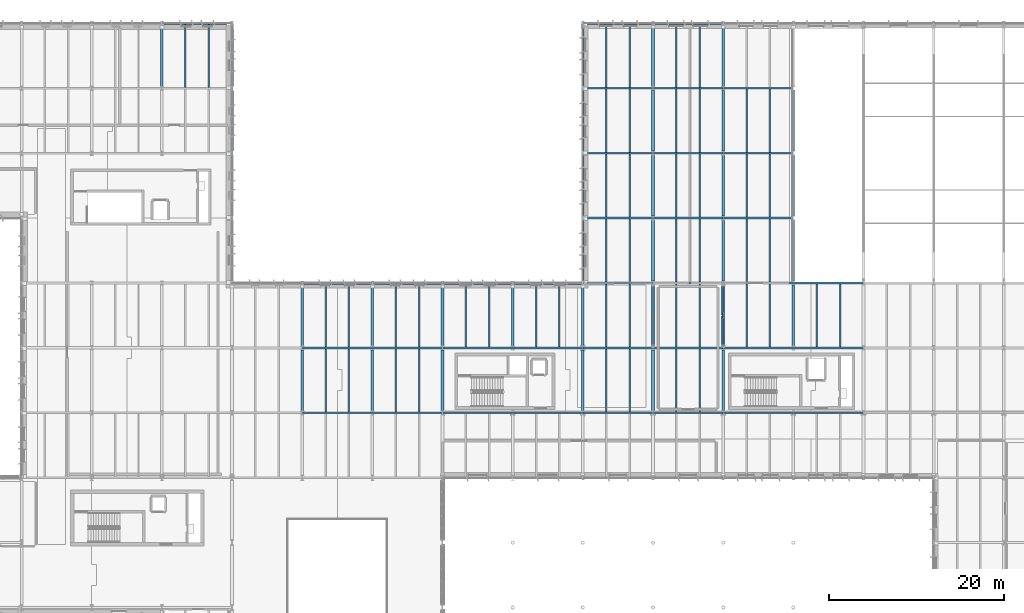
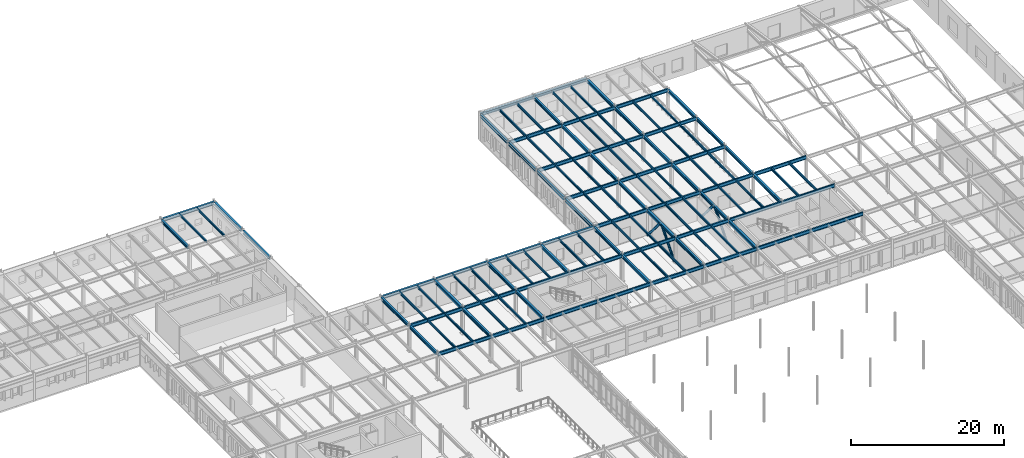
# One storey, part 25 of 75: 116 beams, 4 members.
"""IFC4 building model written with IfcOpenShell, lengths in metres."""

from ifc_helpers import new_model, si_unit, direction, frame, origin, origin_2d, place, context, subcontext, project, spatial, hollow_circle, i_section, extrude, material, material_profile, profile_set, type_object, element, save


model = new_model("IFC4")

# Units and contexts
model_context = context("Model", 3, precision=1e-05, world=origin(), true_north=direction((0.0, 1.0)))
body_context = subcontext(model_context, "Body", "Model", "MODEL_VIEW")
ifc_project = project(units=[si_unit("LENGTHUNIT", "METRE"), si_unit("AREAUNIT", "SQUARE_METRE"), si_unit("VOLUMEUNIT", "CUBIC_METRE"), si_unit("PLANEANGLEUNIT", "RADIAN"), si_unit("MASSUNIT", "GRAM", prefix="KILO")], contexts=[model_context])

# Site, building, storey
site_placement = place(None, origin())
site = spatial("IfcSite", under=ifc_project, at=site_placement, CompositionType="ELEMENT")
building_placement = place(site_placement, origin())
building = spatial("IfcBuilding", under=site, at=building_placement, Name="Valkorina Park Police Headquarters", CompositionType="ELEMENT")
storey_placement = place(building_placement, frame((0.0, 0.0, 5.39990234375)))
storey = spatial("IfcBuildingStorey", under=building, at=storey_placement, Name="L02", CompositionType="ELEMENT", Elevation=5.39990234375)

# Beams
ifc_material = material(Name="Steel S355", Category="steel")
ifc_material_profile_1 = material_profile(ifc_material, i_section(OverallWidth=0.300048828125, OverallDepth=0.489990234375, WebThickness=0.011962890625, FlangeThickness=0.02294921875, FilletRadius=0.027099609375, at=origin_2d()), Name="HEA 500")
ifc_profile_set_1 = profile_set([ifc_material_profile_1], Name="Steel S355")
beam_type_1 = type_object("IfcBeamType", Name="BM-S355-HEA500-BM", PredefinedType="BEAM", material=ifc_profile_set_1)
for number, where, z_axis, x_axis, name in (
    (1, (48.800048828125, 103.824951171875, 3.97509765625), (0.0, 1.0, 0.0), (-1.0, 0.0, 0.0), "L02 Framing Beam 1586"),
    (2, (64.800048828125, 66.824951171875, 3.9951171875), (0.0, 1.0, 0.0), (-1.0, 0.0, 0.0), "L02 Framing Beam 1620"),
    (3, (64.800048828125, 74.22509765625, 3.9951171875), (0.0, 1.0, 0.0), (-1.0, 0.0, 0.0), "L02 Framing Beam 1623"),
    (4, (72.800048828125, 66.824951171875, 3.9951171875), (0.0, 1.0, 0.0), (-1.0, 0.0, 0.0), "L02 Framing Beam 1635"),
    (5, (72.800048828125, 74.22509765625, 3.9951171875), (0.0, 1.0, 0.0), (-1.0, 0.0, 0.0), "L02 Framing Beam 1638"),
    (6, (80.800048828125, 66.824951171875, 3.9951171875), (0.0, 1.0, 0.0), (-1.0, 0.0, 0.0), "L02 Framing Beam 1649"),
    (7, (80.800048828125, 74.22509765625, 3.9951171875), (0.0, 1.0, 0.0), (-1.0, 0.0, 0.0), "L02 Framing Beam 1650"),
    (8, (88.800048828125, 74.22509765625, 3.9951171875), (0.0, 1.0, 0.0), (-1.0, 0.0, 0.0), "L02 Framing Beam 1656"),
    (9, (96.800048828125, 66.824951171875, 3.9951171875), (0.0, 1.0, 0.0), (-1.0, 0.0, 0.0), "L02 Framing Beam 1662"),
    (10, (96.800048828125, 74.22509765625, 3.9951171875), (0.0, 1.0, 0.0), (-1.0, 0.0, 0.0), "L02 Framing Beam 1665"),
    (11, (104.800048828125, 66.824951171875, 3.9951171875), (0.0, 1.0, 0.0), (-1.0, 0.0, 0.0), "L02 Framing Beam 1683"),
    (12, (104.800048828125, 74.22509765625, 3.9951171875), (0.0, 1.0, 0.0), (-1.0, 0.0, 0.0), "L02 Framing Beam 1686"),
    (13, (104.800048828125, 81.625, 3.9951171875), (0.0, 1.0, 0.0), (-1.0, 0.0, 0.0), "L02 Framing Beam 1689"),
):
    element("IfcBeam", number, at=place(storey_placement, frame(where, z_axis=z_axis, x_axis=x_axis)), inside=storey, type_object=beam_type_1, Name=name, PredefinedType="BEAM", context=body_context, shape_type="SweptSolid", body=[
        extrude(i_section(OverallWidth=0.300048828125, OverallDepth=0.489990234375, WebThickness=0.011962890625, FlangeThickness=0.02294921875, FilletRadius=0.027099609375, at=origin_2d()), origin(), (0.0, 0.0, 1.0), 6.949951171875),
    ])
beam_1_placement = place(storey_placement, frame((104.800048828125, 89.02490234375, 3.9951171875), z_axis=(0.0, 1.0, 0.0), x_axis=(-1.0, 0.0, 0.0)))
element("IfcBeam", 14, at=beam_1_placement, inside=storey, type_object=beam_type_1, Name="L02 Framing Beam 1692", PredefinedType="BEAM", context=body_context, shape_type="SweptSolid", body=[
    extrude(i_section(OverallWidth=0.300048828125, OverallDepth=0.489990234375, WebThickness=0.011962890625, FlangeThickness=0.02294921875, FilletRadius=0.027099609375, at=origin_2d()), origin(), (0.0, 0.0, 1.0), 6.9501953125),
])
for number, where, z_axis, x_axis, name in (
    (15, (104.800048828125, 96.425048828125, 3.9951171875), (0.0, 1.0, 0.0), (-1.0, 0.0, 0.0), "L02 Framing Beam 1695"),
    (16, (104.800048828125, 103.824951171875, 3.9951171875), (0.0, 1.0, 0.0), (-1.0, 0.0, 0.0), "L02 Framing Beam 1698"),
    (17, (112.800048828125, 66.824951171875, 3.9951171875), (0.0, 1.0, 0.0), (-1.0, 0.0, 0.0), "L02 Framing Beam 1704"),
    (18, (112.800048828125, 74.22509765625, 3.9951171875), (0.0, 1.0, 0.0), (-1.0, 0.0, 0.0), "L02 Framing Beam 1705"),
    (19, (112.800048828125, 81.625, 3.9951171875), (0.0, 1.0, 0.0), (-1.0, 0.0, 0.0), "L02 Framing Beam 1708"),
):
    element("IfcBeam", number, at=place(storey_placement, frame(where, z_axis=z_axis, x_axis=x_axis)), inside=storey, type_object=beam_type_1, Name=name, PredefinedType="BEAM", context=body_context, shape_type="SweptSolid", body=[
        extrude(i_section(OverallWidth=0.300048828125, OverallDepth=0.489990234375, WebThickness=0.011962890625, FlangeThickness=0.02294921875, FilletRadius=0.027099609375, at=origin_2d()), origin(), (0.0, 0.0, 1.0), 6.949951171875),
    ])
beam_2_placement = place(storey_placement, frame((112.800048828125, 89.02490234375, 3.9951171875), z_axis=(0.0, 1.0, 0.0), x_axis=(-1.0, 0.0, 0.0)))
element("IfcBeam", 20, at=beam_2_placement, inside=storey, type_object=beam_type_1, Name="L02 Framing Beam 1711", PredefinedType="BEAM", context=body_context, shape_type="SweptSolid", body=[
    extrude(i_section(OverallWidth=0.300048828125, OverallDepth=0.489990234375, WebThickness=0.011962890625, FlangeThickness=0.02294921875, FilletRadius=0.027099609375, at=origin_2d()), origin(), (0.0, 0.0, 1.0), 6.9501953125),
])
for number, where, z_axis, x_axis, name in (
    (21, (112.800048828125, 96.425048828125, 3.9951171875), (0.0, 1.0, 0.0), (-1.0, 0.0, 0.0), "L02 Framing Beam 1714"),
    (22, (112.800048828125, 103.824951171875, 3.9951171875), (0.0, 1.0, 0.0), (-1.0, 0.0, 0.0), "L02 Framing Beam 1717"),
    (23, (120.800048828125, 74.22509765625, 3.9951171875), (0.0, 1.0, 0.0), (-1.0, 0.0, 0.0), "L02 Framing Beam 1723"),
    (24, (120.800048828125, 81.625, 3.9951171875), (0.0, 1.0, 0.0), (-1.0, 0.0, 0.0), "L02 Framing Beam 1726"),
):
    element("IfcBeam", number, at=place(storey_placement, frame(where, z_axis=z_axis, x_axis=x_axis)), inside=storey, type_object=beam_type_1, Name=name, PredefinedType="BEAM", context=body_context, shape_type="SweptSolid", body=[
        extrude(i_section(OverallWidth=0.300048828125, OverallDepth=0.489990234375, WebThickness=0.011962890625, FlangeThickness=0.02294921875, FilletRadius=0.027099609375, at=origin_2d()), origin(), (0.0, 0.0, 1.0), 6.949951171875),
    ])
beam_3_placement = place(storey_placement, frame((120.800048828125, 89.02490234375, 3.9951171875), z_axis=(0.0, 1.0, 0.0), x_axis=(-1.0, 0.0, 0.0)))
element("IfcBeam", 25, at=beam_3_placement, inside=storey, type_object=beam_type_1, Name="L02 Framing Beam 1727", PredefinedType="BEAM", context=body_context, shape_type="SweptSolid", body=[
    extrude(i_section(OverallWidth=0.300048828125, OverallDepth=0.489990234375, WebThickness=0.011962890625, FlangeThickness=0.02294921875, FilletRadius=0.027099609375, at=origin_2d()), origin(), (0.0, 0.0, 1.0), 6.9501953125),
])
beam_4_placement = place(storey_placement, frame((120.800048828125, 96.425048828125, 3.9951171875), z_axis=(0.0, 1.0, 0.0), x_axis=(-1.0, 0.0, 0.0)))
element("IfcBeam", 26, at=beam_4_placement, inside=storey, type_object=beam_type_1, Name="L02 Framing Beam 1728", PredefinedType="BEAM", context=body_context, shape_type="SweptSolid", body=[
    extrude(i_section(OverallWidth=0.300048828125, OverallDepth=0.489990234375, WebThickness=0.011962890625, FlangeThickness=0.02294921875, FilletRadius=0.027099609375, at=origin_2d()), origin(), (0.0, 0.0, 1.0), 6.949951171875),
])
ifc_material_profile_2 = material_profile(ifc_material, i_section(OverallWidth=0.300048828125, OverallDepth=0.489990234375, WebThickness=0.011962890625, FlangeThickness=0.02294921875, FilletRadius=0.027099609375, at=origin_2d()), Name="HEA 500")
ifc_profile_set_2 = profile_set([ifc_material_profile_2], Name="Steel S355")
beam_type_2 = type_object("IfcBeamType", Name="BM-S355-HEA500-SPN", PredefinedType="SPANDREL", material=ifc_profile_set_2)
for number, where, z_axis, x_axis, name in (
    (27, (64.806884765625, 81.39990234375, 3.9951171875), (1.0, 0.0, 0.0), (0.0, 1.0, 0.0), "L02 Framing Beam 1395"),
    (28, (72.806884765625, 81.39990234375, 3.9951171875), (1.0, 0.0, 0.0), (0.0, 1.0, 0.0), "L02 Framing Beam 1396"),
    (29, (80.806884765625, 81.39990234375, 3.9951171875), (1.0, 0.0, 0.0), (0.0, 1.0, 0.0), "L02 Framing Beam 1397"),
    (30, (88.806884765625, 81.39990234375, 3.9951171875), (1.0, 0.0, 0.0), (0.0, 1.0, 0.0), "L02 Framing Beam 1398"),
    (31, (48.806884765625, 111.0, 3.97509765625), (1.0, 0.0, 0.0), (0.0, 1.0, 0.0), "L02 Framing Beam 1440"),
    (32, (96.806884765625, 111.0, 3.9951171875), (1.0, 0.0, 0.0), (0.0, 1.0, 0.0), "L02 Framing Beam 1441"),
    (33, (104.806884765625, 111.0, 3.9951171875), (1.0, 0.0, 0.0), (0.0, 1.0, 0.0), "L02 Framing Beam 1442"),
):
    element("IfcBeam", number, at=place(storey_placement, frame(where, z_axis=z_axis, x_axis=x_axis)), inside=storey, type_object=beam_type_2, Name=name, PredefinedType="SPANDREL", context=body_context, shape_type="SweptSolid", body=[
        extrude(i_section(OverallWidth=0.300048828125, OverallDepth=0.489990234375, WebThickness=0.011962890625, FlangeThickness=0.02294921875, FilletRadius=0.027099609375, at=origin_2d()), origin(), (0.0, 0.0, 1.0), 7.986083984375),
    ])
for number, where, z_axis, x_axis, name in (
    (34, (56.800048828125, 96.425048828125, 3.97509765625), (0.0, 1.0, 0.0), (-1.0, 0.0, 0.0), "L02 Framing Beam 1609"),
    (35, (56.800048828125, 103.824951171875, 3.97509765625), (0.0, 1.0, 0.0), (-1.0, 0.0, 0.0), "L02 Framing Beam 1610"),
    (36, (96.800048828125, 81.625, 3.9951171875), (0.0, 1.0, 0.0), (-1.0, 0.0, 0.0), "L02 Framing Beam 1668"),
):
    element("IfcBeam", number, at=place(storey_placement, frame(where, z_axis=z_axis, x_axis=x_axis)), inside=storey, type_object=beam_type_2, Name=name, PredefinedType="SPANDREL", context=body_context, shape_type="SweptSolid", body=[
        extrude(i_section(OverallWidth=0.300048828125, OverallDepth=0.489990234375, WebThickness=0.011962890625, FlangeThickness=0.02294921875, FilletRadius=0.027099609375, at=origin_2d()), origin(), (0.0, 0.0, 1.0), 6.949951171875),
    ])
beam_5_placement = place(storey_placement, frame((96.800048828125, 89.02490234375, 3.9951171875), z_axis=(0.0, 1.0, 0.0), x_axis=(-1.0, 0.0, 0.0)))
element("IfcBeam", 37, at=beam_5_placement, inside=storey, type_object=beam_type_2, Name="L02 Framing Beam 1671", PredefinedType="SPANDREL", context=body_context, shape_type="SweptSolid", body=[
    extrude(i_section(OverallWidth=0.300048828125, OverallDepth=0.489990234375, WebThickness=0.011962890625, FlangeThickness=0.02294921875, FilletRadius=0.027099609375, at=origin_2d()), origin(), (0.0, 0.0, 1.0), 6.9501953125),
])
for number, where, z_axis, x_axis, name in (
    (38, (96.800048828125, 96.425048828125, 3.9951171875), (0.0, 1.0, 0.0), (-1.0, 0.0, 0.0), "L02 Framing Beam 1674"),
    (39, (96.800048828125, 103.824951171875, 3.9951171875), (0.0, 1.0, 0.0), (-1.0, 0.0, 0.0), "L02 Framing Beam 1677"),
):
    element("IfcBeam", number, at=place(storey_placement, frame(where, z_axis=z_axis, x_axis=x_axis)), inside=storey, type_object=beam_type_2, Name=name, PredefinedType="SPANDREL", context=body_context, shape_type="SweptSolid", body=[
        extrude(i_section(OverallWidth=0.300048828125, OverallDepth=0.489990234375, WebThickness=0.011962890625, FlangeThickness=0.02294921875, FilletRadius=0.027099609375, at=origin_2d()), origin(), (0.0, 0.0, 1.0), 6.949951171875),
    ])
ifc_material_profile_3 = material_profile(ifc_material, i_section(OverallWidth=0.169921875, OverallDepth=0.360107421875, WebThickness=0.008056640625, FlangeThickness=0.0126953125, FilletRadius=0.01806640625, at=origin_2d()), Name="IPE 360")
ifc_profile_set_3 = profile_set([ifc_material_profile_3], Name="Steel S355")
beam_type_3 = type_object("IfcBeamType", Name="BM-S355-IPE360-JST", PredefinedType="JOIST", material=ifc_profile_set_3)
for number, where, z_axis, x_axis, name in (
    (40, (51.466796875, 103.705078125, 4.0400390625), (0.0, 1.0, 0.0), (-1.0, 0.0, 0.0), "L02 Framing Beam 1587"),
    (41, (54.13330078125, 103.705078125, 4.0400390625), (0.0, 1.0, 0.0), (-1.0, 0.0, 0.0), "L02 Framing Beam 1588"),
):
    element("IfcBeam", number, at=place(storey_placement, frame(where, z_axis=z_axis, x_axis=x_axis)), inside=storey, type_object=beam_type_3, Name=name, PredefinedType="JOIST", context=body_context, shape_type="SweptSolid", body=[
        extrude(i_section(OverallWidth=0.169921875, OverallDepth=0.360107421875, WebThickness=0.008056640625, FlangeThickness=0.0126953125, FilletRadius=0.01806640625, at=origin_2d()), origin(), (0.0, 0.0, 1.0), 7.14501953125),
    ])
for number, where, z_axis, x_axis, name in (
    (42, (67.466796875, 66.705078125, 4.06005859375), (0.0, 1.0, 0.0), (-1.0, 0.0, 0.0), "L02 Framing Beam 1621"),
    (43, (70.13330078125, 66.705078125, 4.06005859375), (0.0, 1.0, 0.0), (-1.0, 0.0, 0.0), "L02 Framing Beam 1622"),
):
    element("IfcBeam", number, at=place(storey_placement, frame(where, z_axis=z_axis, x_axis=x_axis)), inside=storey, type_object=beam_type_3, Name=name, PredefinedType="JOIST", context=body_context, shape_type="SweptSolid", body=[
        extrude(i_section(OverallWidth=0.169921875, OverallDepth=0.360107421875, WebThickness=0.008056640625, FlangeThickness=0.0126953125, FilletRadius=0.01806640625, at=origin_2d()), origin(), (0.0, 0.0, 1.0), 7.18994140625),
    ])
for number, where, z_axis, x_axis, name in (
    (44, (67.466796875, 74.10498046875, 4.06005859375), (0.0, 1.0, 0.0), (-1.0, 0.0, 0.0), "L02 Framing Beam 1624"),
    (45, (70.13330078125, 74.10498046875, 4.06005859375), (0.0, 1.0, 0.0), (-1.0, 0.0, 0.0), "L02 Framing Beam 1625"),
):
    element("IfcBeam", number, at=place(storey_placement, frame(where, z_axis=z_axis, x_axis=x_axis)), inside=storey, type_object=beam_type_3, Name=name, PredefinedType="JOIST", context=body_context, shape_type="SweptSolid", body=[
        extrude(i_section(OverallWidth=0.169921875, OverallDepth=0.360107421875, WebThickness=0.008056640625, FlangeThickness=0.0126953125, FilletRadius=0.01806640625, at=origin_2d()), origin(), (0.0, 0.0, 1.0), 7.14501953125),
    ])
for number, where, z_axis, x_axis, name in (
    (46, (75.466796875, 66.705078125, 4.06005859375), (0.0, 1.0, 0.0), (-1.0, 0.0, 0.0), "L02 Framing Beam 1636"),
    (47, (78.13330078125, 66.705078125, 4.06005859375), (0.0, 1.0, 0.0), (-1.0, 0.0, 0.0), "L02 Framing Beam 1637"),
):
    element("IfcBeam", number, at=place(storey_placement, frame(where, z_axis=z_axis, x_axis=x_axis)), inside=storey, type_object=beam_type_3, Name=name, PredefinedType="JOIST", context=body_context, shape_type="SweptSolid", body=[
        extrude(i_section(OverallWidth=0.169921875, OverallDepth=0.360107421875, WebThickness=0.008056640625, FlangeThickness=0.0126953125, FilletRadius=0.01806640625, at=origin_2d()), origin(), (0.0, 0.0, 1.0), 7.18994140625),
    ])
for number, where, z_axis, x_axis, name in (
    (48, (75.466796875, 74.10498046875, 4.06005859375), (0.0, 1.0, 0.0), (-1.0, 0.0, 0.0), "L02 Framing Beam 1639"),
    (49, (78.13330078125, 74.10498046875, 4.06005859375), (0.0, 1.0, 0.0), (-1.0, 0.0, 0.0), "L02 Framing Beam 1640"),
    (50, (83.466796875, 74.10498046875, 4.06005859375), (0.0, 1.0, 0.0), (-1.0, 0.0, 0.0), "L02 Framing Beam 1651"),
    (51, (86.13330078125, 74.10498046875, 4.06005859375), (0.0, 1.0, 0.0), (-1.0, 0.0, 0.0), "L02 Framing Beam 1652"),
    (52, (91.466796875, 74.10498046875, 4.06005859375), (0.0, 1.0, 0.0), (-1.0, 0.0, 0.0), "L02 Framing Beam 1657"),
    (53, (94.13330078125, 74.10498046875, 4.06005859375), (0.0, 1.0, 0.0), (-1.0, 0.0, 0.0), "L02 Framing Beam 1658"),
):
    element("IfcBeam", number, at=place(storey_placement, frame(where, z_axis=z_axis, x_axis=x_axis)), inside=storey, type_object=beam_type_3, Name=name, PredefinedType="JOIST", context=body_context, shape_type="SweptSolid", body=[
        extrude(i_section(OverallWidth=0.169921875, OverallDepth=0.360107421875, WebThickness=0.008056640625, FlangeThickness=0.0126953125, FilletRadius=0.01806640625, at=origin_2d()), origin(), (0.0, 0.0, 1.0), 7.14501953125),
    ])
for number, where, z_axis, x_axis, name in (
    (54, (99.466796875, 66.705078125, 4.06005859375), (0.0, 1.0, 0.0), (-1.0, 0.0, 0.0), "L02 Framing Beam 1663"),
    (55, (102.13330078125, 66.705078125, 4.06005859375), (0.0, 1.0, 0.0), (-1.0, 0.0, 0.0), "L02 Framing Beam 1664"),
    (56, (99.466796875, 74.10498046875, 4.06005859375), (0.0, 1.0, 0.0), (-1.0, 0.0, 0.0), "L02 Framing Beam 1666"),
    (57, (102.13330078125, 74.10498046875, 4.06005859375), (0.0, 1.0, 0.0), (-1.0, 0.0, 0.0), "L02 Framing Beam 1667"),
):
    element("IfcBeam", number, at=place(storey_placement, frame(where, z_axis=z_axis, x_axis=x_axis)), inside=storey, type_object=beam_type_3, Name=name, PredefinedType="JOIST", context=body_context, shape_type="SweptSolid", body=[
        extrude(i_section(OverallWidth=0.169921875, OverallDepth=0.360107421875, WebThickness=0.008056640625, FlangeThickness=0.0126953125, FilletRadius=0.01806640625, at=origin_2d()), origin(), (0.0, 0.0, 1.0), 7.18994140625),
    ])
for number, where, z_axis, x_axis, name in (
    (58, (99.466796875, 81.5048828125, 4.06005859375), (0.0, 1.0, 0.0), (-1.0, 0.0, 0.0), "L02 Framing Beam 1669"),
    (59, (102.13330078125, 81.5048828125, 4.06005859375), (0.0, 1.0, 0.0), (-1.0, 0.0, 0.0), "L02 Framing Beam 1670"),
):
    element("IfcBeam", number, at=place(storey_placement, frame(where, z_axis=z_axis, x_axis=x_axis)), inside=storey, type_object=beam_type_3, Name=name, PredefinedType="JOIST", context=body_context, shape_type="SweptSolid", body=[
        extrude(i_section(OverallWidth=0.169921875, OverallDepth=0.360107421875, WebThickness=0.008056640625, FlangeThickness=0.0126953125, FilletRadius=0.01806640625, at=origin_2d()), origin(), (0.0, 0.0, 1.0), 7.190185546875),
    ])
for number, where, z_axis, x_axis, name in (
    (60, (99.466796875, 88.905029296875, 4.06005859375), (0.0, 1.0, 0.0), (-1.0, 0.0, 0.0), "L02 Framing Beam 1672"),
    (61, (102.13330078125, 88.905029296875, 4.06005859375), (0.0, 1.0, 0.0), (-1.0, 0.0, 0.0), "L02 Framing Beam 1673"),
):
    element("IfcBeam", number, at=place(storey_placement, frame(where, z_axis=z_axis, x_axis=x_axis)), inside=storey, type_object=beam_type_3, Name=name, PredefinedType="JOIST", context=body_context, shape_type="SweptSolid", body=[
        extrude(i_section(OverallWidth=0.169921875, OverallDepth=0.360107421875, WebThickness=0.008056640625, FlangeThickness=0.0126953125, FilletRadius=0.01806640625, at=origin_2d()), origin(), (0.0, 0.0, 1.0), 7.18994140625),
    ])
for number, where, z_axis, x_axis, name in (
    (62, (99.466796875, 96.304931640625, 4.06005859375), (0.0, 1.0, 0.0), (-1.0, 0.0, 0.0), "L02 Framing Beam 1675"),
    (63, (102.13330078125, 96.304931640625, 4.06005859375), (0.0, 1.0, 0.0), (-1.0, 0.0, 0.0), "L02 Framing Beam 1676"),
):
    element("IfcBeam", number, at=place(storey_placement, frame(where, z_axis=z_axis, x_axis=x_axis)), inside=storey, type_object=beam_type_3, Name=name, PredefinedType="JOIST", context=body_context, shape_type="SweptSolid", body=[
        extrude(i_section(OverallWidth=0.169921875, OverallDepth=0.360107421875, WebThickness=0.008056640625, FlangeThickness=0.0126953125, FilletRadius=0.01806640625, at=origin_2d()), origin(), (0.0, 0.0, 1.0), 7.190185546875),
    ])
for number, where, z_axis, x_axis, name in (
    (64, (99.466796875, 103.705078125, 4.06005859375), (0.0, 1.0, 0.0), (-1.0, 0.0, 0.0), "L02 Framing Beam 1678"),
    (65, (102.13330078125, 103.705078125, 4.06005859375), (0.0, 1.0, 0.0), (-1.0, 0.0, 0.0), "L02 Framing Beam 1679"),
):
    element("IfcBeam", number, at=place(storey_placement, frame(where, z_axis=z_axis, x_axis=x_axis)), inside=storey, type_object=beam_type_3, Name=name, PredefinedType="JOIST", context=body_context, shape_type="SweptSolid", body=[
        extrude(i_section(OverallWidth=0.169921875, OverallDepth=0.360107421875, WebThickness=0.008056640625, FlangeThickness=0.0126953125, FilletRadius=0.01806640625, at=origin_2d()), origin(), (0.0, 0.0, 1.0), 7.14501953125),
    ])
for number, where, z_axis, x_axis, name in (
    (66, (107.466796875, 66.705078125, 4.06005859375), (0.0, 1.0, 0.0), (-1.0, 0.0, 0.0), "L02 Framing Beam 1684"),
    (67, (110.13330078125, 66.705078125, 4.06005859375), (0.0, 1.0, 0.0), (-1.0, 0.0, 0.0), "L02 Framing Beam 1685"),
    (68, (107.466796875, 74.10498046875, 4.06005859375), (0.0, 1.0, 0.0), (-1.0, 0.0, 0.0), "L02 Framing Beam 1687"),
    (69, (110.13330078125, 74.10498046875, 4.06005859375), (0.0, 1.0, 0.0), (-1.0, 0.0, 0.0), "L02 Framing Beam 1688"),
):
    element("IfcBeam", number, at=place(storey_placement, frame(where, z_axis=z_axis, x_axis=x_axis)), inside=storey, type_object=beam_type_3, Name=name, PredefinedType="JOIST", context=body_context, shape_type="SweptSolid", body=[
        extrude(i_section(OverallWidth=0.169921875, OverallDepth=0.360107421875, WebThickness=0.008056640625, FlangeThickness=0.0126953125, FilletRadius=0.01806640625, at=origin_2d()), origin(), (0.0, 0.0, 1.0), 7.18994140625),
    ])
for number, where, z_axis, x_axis, name in (
    (70, (107.466796875, 81.5048828125, 4.06005859375), (0.0, 1.0, 0.0), (-1.0, 0.0, 0.0), "L02 Framing Beam 1690"),
    (71, (110.13330078125, 81.5048828125, 4.06005859375), (0.0, 1.0, 0.0), (-1.0, 0.0, 0.0), "L02 Framing Beam 1691"),
):
    element("IfcBeam", number, at=place(storey_placement, frame(where, z_axis=z_axis, x_axis=x_axis)), inside=storey, type_object=beam_type_3, Name=name, PredefinedType="JOIST", context=body_context, shape_type="SweptSolid", body=[
        extrude(i_section(OverallWidth=0.169921875, OverallDepth=0.360107421875, WebThickness=0.008056640625, FlangeThickness=0.0126953125, FilletRadius=0.01806640625, at=origin_2d()), origin(), (0.0, 0.0, 1.0), 7.190185546875),
    ])
for number, where, z_axis, x_axis, name in (
    (72, (107.466796875, 88.905029296875, 4.06005859375), (0.0, 1.0, 0.0), (-1.0, 0.0, 0.0), "L02 Framing Beam 1693"),
    (73, (110.13330078125, 88.905029296875, 4.06005859375), (0.0, 1.0, 0.0), (-1.0, 0.0, 0.0), "L02 Framing Beam 1694"),
):
    element("IfcBeam", number, at=place(storey_placement, frame(where, z_axis=z_axis, x_axis=x_axis)), inside=storey, type_object=beam_type_3, Name=name, PredefinedType="JOIST", context=body_context, shape_type="SweptSolid", body=[
        extrude(i_section(OverallWidth=0.169921875, OverallDepth=0.360107421875, WebThickness=0.008056640625, FlangeThickness=0.0126953125, FilletRadius=0.01806640625, at=origin_2d()), origin(), (0.0, 0.0, 1.0), 7.18994140625),
    ])
for number, where, z_axis, x_axis, name in (
    (74, (107.466796875, 96.304931640625, 4.06005859375), (0.0, 1.0, 0.0), (-1.0, 0.0, 0.0), "L02 Framing Beam 1696"),
    (75, (110.13330078125, 96.304931640625, 4.06005859375), (0.0, 1.0, 0.0), (-1.0, 0.0, 0.0), "L02 Framing Beam 1697"),
):
    element("IfcBeam", number, at=place(storey_placement, frame(where, z_axis=z_axis, x_axis=x_axis)), inside=storey, type_object=beam_type_3, Name=name, PredefinedType="JOIST", context=body_context, shape_type="SweptSolid", body=[
        extrude(i_section(OverallWidth=0.169921875, OverallDepth=0.360107421875, WebThickness=0.008056640625, FlangeThickness=0.0126953125, FilletRadius=0.01806640625, at=origin_2d()), origin(), (0.0, 0.0, 1.0), 7.190185546875),
    ])
for number, where, z_axis, x_axis, name in (
    (76, (107.466796875, 103.705078125, 4.06005859375), (0.0, 1.0, 0.0), (-1.0, 0.0, 0.0), "L02 Framing Beam 1699"),
    (77, (110.13330078125, 103.705078125, 4.06005859375), (0.0, 1.0, 0.0), (-1.0, 0.0, 0.0), "L02 Framing Beam 1700"),
):
    element("IfcBeam", number, at=place(storey_placement, frame(where, z_axis=z_axis, x_axis=x_axis)), inside=storey, type_object=beam_type_3, Name=name, PredefinedType="JOIST", context=body_context, shape_type="SweptSolid", body=[
        extrude(i_section(OverallWidth=0.169921875, OverallDepth=0.360107421875, WebThickness=0.008056640625, FlangeThickness=0.0126953125, FilletRadius=0.01806640625, at=origin_2d()), origin(), (0.0, 0.0, 1.0), 7.14501953125),
    ])
for number, where, z_axis, x_axis, name in (
    (78, (115.466796875, 74.10498046875, 4.06005859375), (0.0, 1.0, 0.0), (-1.0, 0.0, 0.0), "L02 Framing Beam 1706"),
    (79, (118.13330078125, 74.10498046875, 4.06005859375), (0.0, 1.0, 0.0), (-1.0, 0.0, 0.0), "L02 Framing Beam 1707"),
):
    element("IfcBeam", number, at=place(storey_placement, frame(where, z_axis=z_axis, x_axis=x_axis)), inside=storey, type_object=beam_type_3, Name=name, PredefinedType="JOIST", context=body_context, shape_type="SweptSolid", body=[
        extrude(i_section(OverallWidth=0.169921875, OverallDepth=0.360107421875, WebThickness=0.008056640625, FlangeThickness=0.0126953125, FilletRadius=0.01806640625, at=origin_2d()), origin(), (0.0, 0.0, 1.0), 7.18994140625),
    ])
for number, where, z_axis, x_axis, name in (
    (80, (115.466796875, 81.5048828125, 4.06005859375), (0.0, 1.0, 0.0), (-1.0, 0.0, 0.0), "L02 Framing Beam 1709"),
    (81, (118.13330078125, 81.5048828125, 4.06005859375), (0.0, 1.0, 0.0), (-1.0, 0.0, 0.0), "L02 Framing Beam 1710"),
):
    element("IfcBeam", number, at=place(storey_placement, frame(where, z_axis=z_axis, x_axis=x_axis)), inside=storey, type_object=beam_type_3, Name=name, PredefinedType="JOIST", context=body_context, shape_type="SweptSolid", body=[
        extrude(i_section(OverallWidth=0.169921875, OverallDepth=0.360107421875, WebThickness=0.008056640625, FlangeThickness=0.0126953125, FilletRadius=0.01806640625, at=origin_2d()), origin(), (0.0, 0.0, 1.0), 7.190185546875),
    ])
for number, where, z_axis, x_axis, name in (
    (82, (115.466796875, 88.905029296875, 4.06005859375), (0.0, 1.0, 0.0), (-1.0, 0.0, 0.0), "L02 Framing Beam 1712"),
    (83, (118.13330078125, 88.905029296875, 4.06005859375), (0.0, 1.0, 0.0), (-1.0, 0.0, 0.0), "L02 Framing Beam 1713"),
):
    element("IfcBeam", number, at=place(storey_placement, frame(where, z_axis=z_axis, x_axis=x_axis)), inside=storey, type_object=beam_type_3, Name=name, PredefinedType="JOIST", context=body_context, shape_type="SweptSolid", body=[
        extrude(i_section(OverallWidth=0.169921875, OverallDepth=0.360107421875, WebThickness=0.008056640625, FlangeThickness=0.0126953125, FilletRadius=0.01806640625, at=origin_2d()), origin(), (0.0, 0.0, 1.0), 7.18994140625),
    ])
for number, where, z_axis, x_axis, name in (
    (84, (115.466796875, 96.304931640625, 4.06005859375), (0.0, 1.0, 0.0), (-1.0, 0.0, 0.0), "L02 Framing Beam 1715"),
    (85, (118.13330078125, 96.304931640625, 4.06005859375), (0.0, 1.0, 0.0), (-1.0, 0.0, 0.0), "L02 Framing Beam 1716"),
):
    element("IfcBeam", number, at=place(storey_placement, frame(where, z_axis=z_axis, x_axis=x_axis)), inside=storey, type_object=beam_type_3, Name=name, PredefinedType="JOIST", context=body_context, shape_type="SweptSolid", body=[
        extrude(i_section(OverallWidth=0.169921875, OverallDepth=0.360107421875, WebThickness=0.008056640625, FlangeThickness=0.0126953125, FilletRadius=0.01806640625, at=origin_2d()), origin(), (0.0, 0.0, 1.0), 7.190185546875),
    ])
for number, where, z_axis, x_axis, name in (
    (86, (123.466796875, 74.10498046875, 4.06005859375), (0.0, 1.0, 0.0), (-1.0, 0.0, 0.0), "L02 Framing Beam 1724"),
    (87, (126.13330078125, 74.10498046875, 4.06005859375), (0.0, 1.0, 0.0), (-1.0, 0.0, 0.0), "L02 Framing Beam 1725"),
):
    element("IfcBeam", number, at=place(storey_placement, frame(where, z_axis=z_axis, x_axis=x_axis)), inside=storey, type_object=beam_type_3, Name=name, PredefinedType="JOIST", context=body_context, shape_type="SweptSolid", body=[
        extrude(i_section(OverallWidth=0.169921875, OverallDepth=0.360107421875, WebThickness=0.008056640625, FlangeThickness=0.0126953125, FilletRadius=0.01806640625, at=origin_2d()), origin(), (0.0, 0.0, 1.0), 7.18994140625),
    ])
ifc_material_profile_4 = material_profile(ifc_material, i_section(OverallWidth=0.2099609375, OverallDepth=0.550048828125, WebThickness=0.010986328125, FlangeThickness=0.01708984375, FilletRadius=0.02392578125, at=origin_2d()), Name="IPE 550")
ifc_profile_set_4 = profile_set([ifc_material_profile_4], Name="Steel S355")
beam_type_4 = type_object("IfcBeamType", Name="BM-S355-IPE550-BM", PredefinedType="BEAM", material=ifc_profile_set_4)
for number, where, z_axis, x_axis, name in (
    (88, (64.806884765625, 66.60009765625, 3.965087890625), (1.0, 0.0, 0.0), (0.0, 1.0, 0.0), "L02 Framing Beam 1363"),
    (89, (72.806884765625, 66.60009765625, 3.965087890625), (1.0, 0.0, 0.0), (0.0, 1.0, 0.0), "L02 Framing Beam 1364"),
    (90, (80.806884765625, 66.60009765625, 3.965087890625), (1.0, 0.0, 0.0), (0.0, 1.0, 0.0), "L02 Framing Beam 1365"),
    (91, (88.806884765625, 66.60009765625, 3.965087890625), (1.0, 0.0, 0.0), (0.0, 1.0, 0.0), "L02 Framing Beam 1366"),
    (92, (96.806884765625, 66.60009765625, 3.965087890625), (1.0, 0.0, 0.0), (0.0, 1.0, 0.0), "L02 Framing Beam 1367"),
    (93, (104.806884765625, 66.60009765625, 3.965087890625), (1.0, 0.0, 0.0), (0.0, 1.0, 0.0), "L02 Framing Beam 1368"),
    (94, (112.806884765625, 66.60009765625, 3.965087890625), (1.0, 0.0, 0.0), (0.0, 1.0, 0.0), "L02 Framing Beam 1369"),
    (95, (120.806884765625, 66.60009765625, 3.965087890625), (1.0, 0.0, 0.0), (0.0, 1.0, 0.0), "L02 Framing Beam 1370"),
    (96, (64.806884765625, 74.0, 3.965087890625), (1.0, 0.0, 0.0), (0.0, 1.0, 0.0), "L02 Framing Beam 1379"),
    (97, (72.806884765625, 74.0, 3.965087890625), (1.0, 0.0, 0.0), (0.0, 1.0, 0.0), "L02 Framing Beam 1380"),
    (98, (80.806884765625, 74.0, 3.965087890625), (1.0, 0.0, 0.0), (0.0, 1.0, 0.0), "L02 Framing Beam 1381"),
    (99, (88.806884765625, 74.0, 3.965087890625), (1.0, 0.0, 0.0), (0.0, 1.0, 0.0), "L02 Framing Beam 1382"),
    (100, (96.806884765625, 74.0, 3.965087890625), (1.0, 0.0, 0.0), (0.0, 1.0, 0.0), "L02 Framing Beam 1383"),
    (101, (104.806884765625, 74.0, 3.965087890625), (1.0, 0.0, 0.0), (0.0, 1.0, 0.0), "L02 Framing Beam 1384"),
    (102, (112.806884765625, 74.0, 3.965087890625), (1.0, 0.0, 0.0), (0.0, 1.0, 0.0), "L02 Framing Beam 1385"),
    (103, (120.806884765625, 74.0, 3.965087890625), (1.0, 0.0, 0.0), (0.0, 1.0, 0.0), "L02 Framing Beam 1386"),
    (104, (96.806884765625, 81.39990234375, 3.965087890625), (1.0, 0.0, 0.0), (0.0, 1.0, 0.0), "L02 Framing Beam 1399"),
    (105, (104.806884765625, 81.39990234375, 3.965087890625), (1.0, 0.0, 0.0), (0.0, 1.0, 0.0), "L02 Framing Beam 1400"),
    (106, (112.806884765625, 81.39990234375, 3.965087890625), (1.0, 0.0, 0.0), (0.0, 1.0, 0.0), "L02 Framing Beam 1401"),
    (107, (120.806884765625, 81.39990234375, 3.965087890625), (1.0, 0.0, 0.0), (0.0, 1.0, 0.0), "L02 Framing Beam 1402"),
    (108, (96.806884765625, 88.800048828125, 3.965087890625), (1.0, 0.0, 0.0), (0.0, 1.0, 0.0), "L02 Framing Beam 1411"),
    (109, (104.806884765625, 88.800048828125, 3.965087890625), (1.0, 0.0, 0.0), (0.0, 1.0, 0.0), "L02 Framing Beam 1412"),
    (110, (112.806884765625, 88.800048828125, 3.965087890625), (1.0, 0.0, 0.0), (0.0, 1.0, 0.0), "L02 Framing Beam 1413"),
    (111, (96.806884765625, 96.199951171875, 3.965087890625), (1.0, 0.0, 0.0), (0.0, 1.0, 0.0), "L02 Framing Beam 1421"),
    (112, (104.806884765625, 96.199951171875, 3.965087890625), (1.0, 0.0, 0.0), (0.0, 1.0, 0.0), "L02 Framing Beam 1422"),
    (113, (112.806884765625, 96.199951171875, 3.965087890625), (1.0, 0.0, 0.0), (0.0, 1.0, 0.0), "L02 Framing Beam 1423"),
    (114, (96.806884765625, 103.60009765625, 3.965087890625), (1.0, 0.0, 0.0), (0.0, 1.0, 0.0), "L02 Framing Beam 1431"),
    (115, (104.806884765625, 103.60009765625, 3.965087890625), (1.0, 0.0, 0.0), (0.0, 1.0, 0.0), "L02 Framing Beam 1432"),
    (116, (112.806884765625, 103.60009765625, 3.965087890625), (1.0, 0.0, 0.0), (0.0, 1.0, 0.0), "L02 Framing Beam 1433"),
):
    element("IfcBeam", number, at=place(storey_placement, frame(where, z_axis=z_axis, x_axis=x_axis)), inside=storey, type_object=beam_type_4, Name=name, PredefinedType="BEAM", context=body_context, shape_type="SweptSolid", body=[
        extrude(i_section(OverallWidth=0.2099609375, OverallDepth=0.550048828125, WebThickness=0.010986328125, FlangeThickness=0.01708984375, FilletRadius=0.02392578125, at=origin_2d()), origin(), (0.0, 0.0, 1.0), 7.986083984375),
    ])

# Members
ifc_material_profile_5 = material_profile(ifc_material, hollow_circle(Radius=0.177734375, WallThickness=0.01611328125, at=origin_2d()), Name="CHS 355.6x16")
ifc_profile_set_5 = profile_set([ifc_material_profile_5], Name="Steel S355")
member_type = type_object("IfcMemberType", Name="MB-S355-CHS355-BRC", PredefinedType="BRACE", material=ifc_profile_set_5)
for number, where, z_axis, x_axis, name in (
    (117, (104.800048828125, 74.22509765625, 0.10009765625), (0.0, 0.646418675772, 0.762982893395), (-1.0, 0.0, 0.0), "L02 Concentric Chevron Brace 021"),
    (118, (104.800048828125, 81.175048828125, 0.10009765625), (0.0, -0.646418675772, 0.762982893395), (1.0, 0.0, 0.0), "L02 Concentric Chevron Brace 022"),
    (119, (112.800048828125, 74.22509765625, 0.10009765625), (0.0, 0.646418675772, 0.762982893395), (-1.0, 0.0, 0.0), "L02 Concentric Chevron Brace 031"),
    (120, (112.800048828125, 81.175048828125, 0.10009765625), (0.0, -0.646418675772, 0.762982893395), (1.0, 0.0, 0.0), "L02 Concentric Chevron Brace 032"),
):
    element("IfcMember", number, at=place(storey_placement, frame(where, z_axis=z_axis, x_axis=x_axis)), inside=storey, type_object=member_type, Name=name, PredefinedType="BRACE", context=body_context, shape_type="SweptSolid", body=[
        extrude(hollow_circle(Radius=0.177734375, WallThickness=0.01611328125, at=origin_2d()), origin(), (0.0, 0.0, 1.0), 5.190185546875),
    ])

save(model, "model.ifc")
